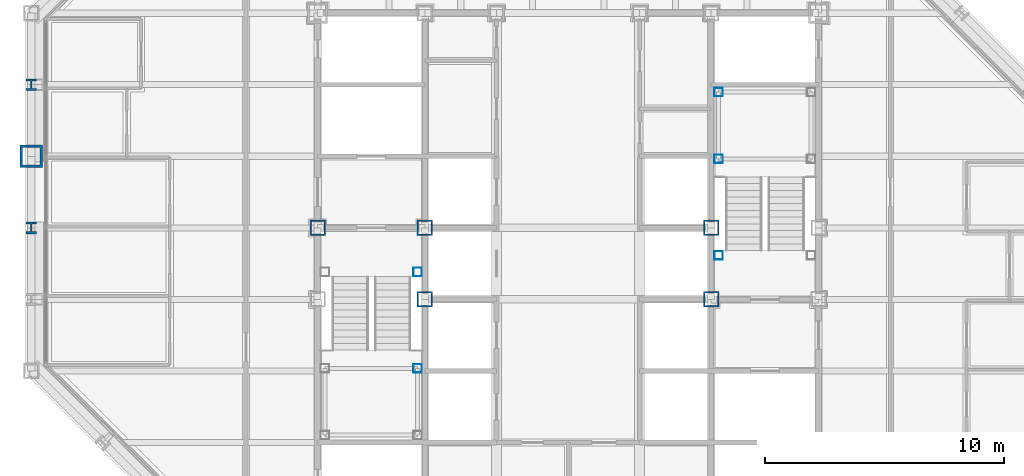
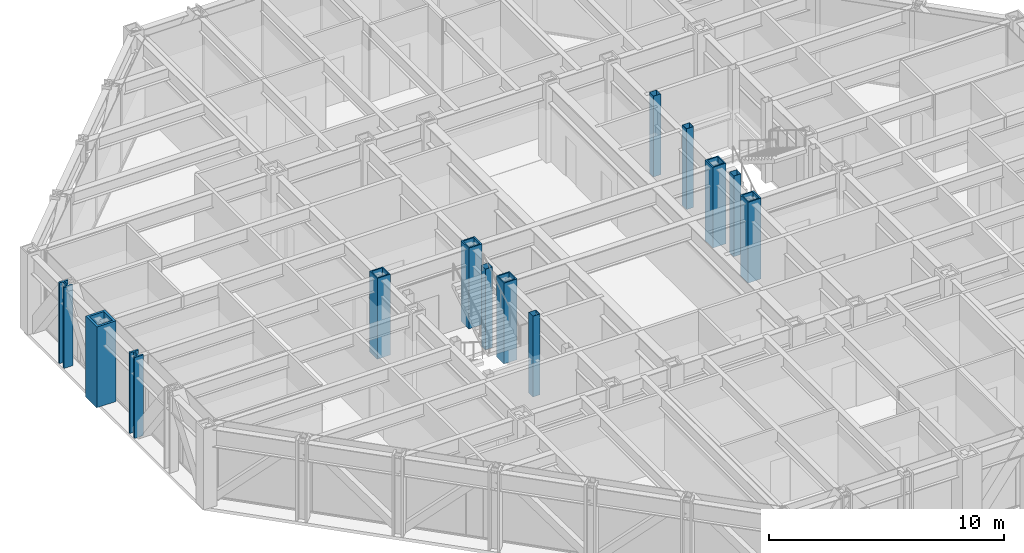
# One storey, part 2 of 16: 13 columns.
"""IFC4 building model written with IfcOpenShell, lengths in metres."""

from ifc_helpers import new_model, si_unit, direction, frame, origin, origin_2d, place, context, subcontext, project, spatial, hollow_rectangle, i_section, extrude, material, material_profile, profile_set, type_object, element, save


model = new_model("IFC4")

# Units and contexts
model_context = context("Model", 3, precision=1e-05, world=origin(), true_north=direction((0.0, 1.0)))
body_context = subcontext(model_context, "Body", "Model", "MODEL_VIEW")
ifc_project = project(units=[si_unit("LENGTHUNIT", "METRE"), si_unit("AREAUNIT", "SQUARE_METRE"), si_unit("VOLUMEUNIT", "CUBIC_METRE"), si_unit("PLANEANGLEUNIT", "RADIAN"), si_unit("MASSUNIT", "GRAM", prefix="KILO")], contexts=[model_context])

# Site, building, storey
site_placement = place(None, origin())
site = spatial("IfcSite", under=ifc_project, at=site_placement, CompositionType="ELEMENT")
building_placement = place(site_placement, origin())
building = spatial("IfcBuilding", under=site, at=building_placement, Name="Chuquiago Exchange Tower", CompositionType="ELEMENT")
storey_placement = place(building_placement, frame((0.0, 0.0, 205.5)))
storey = spatial("IfcBuildingStorey", under=building, at=storey_placement, Name="L45", CompositionType="ELEMENT", Elevation=205.5)

# Columns
ifc_material_1 = material(Name="Steel ASTM A992", Category="steel")
ifc_material_profile_1 = material_profile(ifc_material_1, i_section(OverallWidth=0.431884765625, OverallDepth=0.497802734375, WebThickness=0.0556640625, FlangeThickness=0.0888671875, at=origin_2d()), Name="W14X500")
ifc_profile_set_1 = profile_set([ifc_material_profile_1], Name="Steel ASTM A992")
column_type_1 = type_object("IfcColumnType", Name="C4 W14X500", PredefinedType="COLUMN", material=ifc_profile_set_1)
for number, where, z_axis, x_axis, name in (
    (1, (0.0, 30.0, 0.0), (0.0, 0.0, 1.0), (-1.0, 0.0, 0.0), "COL-L45-0_30"),
    (2, (0.0, 24.0, 0.0), (0.0, 0.0, 1.0), (-1.0, 0.0, 0.0), "COL-L45-0_24"),
):
    element("IfcColumn", number, at=place(storey_placement, frame(where, z_axis=z_axis, x_axis=x_axis)), inside=storey, type_object=column_type_1, Name=name, PredefinedType="COLUMN", context=body_context, shape_type="SweptSolid", body=[
        extrude(i_section(OverallWidth=0.431884765625, OverallDepth=0.497802734375, WebThickness=0.0556640625, FlangeThickness=0.0888671875, at=origin_2d()), origin(), (0.0, 0.0, 1.0), 4.199951171875),
    ])
ifc_material_2 = material(Name="Steel ASTM A572 Grade 50", Category="steel")
ifc_material_profile_2 = material_profile(ifc_material_2, hollow_rectangle(XDim=0.64990234375, YDim=0.64990234375, WallThickness=0.06494140625, at=origin_2d()), Name="BOX650X650X65")
ifc_profile_set_2 = profile_set([ifc_material_profile_2], Name="Steel ASTM A572 Grade 50")
column_type_2 = type_object("IfcColumnType", Name="CC4 BOX650X650X65", PredefinedType="COLUMN", material=ifc_profile_set_2)
for number, where, z_axis, x_axis, name in (
    (3, (12.0, 24.0, 0.0), (0.0, 0.0, 1.0), (1.0, 0.0, 0.0), "CCOL-L45-12_24"),
    (4, (16.5, 21.0, 0.0), (0.0, 0.0, 1.0), (1.0, 0.0, 0.0), "CCOL-L45-16.5_21"),
    (5, (16.5, 24.0, 0.0), (0.0, 0.0, 1.0), (1.0, 0.0, 0.0), "CCOL-L45-16.5_24"),
    (6, (28.5, 21.0, 0.0), (0.0, 0.0, 1.0), (1.0, 0.0, 0.0), "CCOL-L45-28.5_21"),
    (7, (28.5, 24.0, 0.0), (0.0, 0.0, 1.0), (1.0, 0.0, 0.0), "CCOL-L45-28.5_24"),
):
    element("IfcColumn", number, at=place(storey_placement, frame(where, z_axis=z_axis, x_axis=x_axis)), inside=storey, type_object=column_type_2, Name=name, PredefinedType="COLUMN", context=body_context, shape_type="SweptSolid", body=[
        extrude(hollow_rectangle(XDim=0.64990234375, YDim=0.64990234375, WallThickness=0.06494140625, at=origin_2d()), origin(), (0.0, 0.0, 1.0), 4.199951171875),
    ])
ifc_material_3 = material(Name="Steel ASTM A572 Grade 42", Category="steel")
ifc_material_profile_3 = material_profile(ifc_material_3, hollow_rectangle(XDim=0.949951171875, YDim=0.949951171875, WallThickness=0.110107421875, at=origin_2d()), Name="BOX950X950X110")
ifc_profile_set_3 = profile_set([ifc_material_profile_3], Name="Steel ASTM A572 Grade 42")
column_type_3 = type_object("IfcColumnType", Name="CT1 BOX950X950X110", PredefinedType="COLUMN", material=ifc_profile_set_3)
column_placement = place(storey_placement, frame((0.0, 27.0, 0.0), z_axis=(0.0, 0.0, 1.0), x_axis=(-1.0, 0.0, 0.0)))
element("IfcColumn", 8, at=column_placement, inside=storey, type_object=column_type_3, Name="COL-L45-0_27", PredefinedType="COLUMN", context=body_context, shape_type="SweptSolid", body=[
    extrude(hollow_rectangle(XDim=0.949951171875, YDim=0.949951171875, WallThickness=0.110107421875, at=origin_2d()), origin(), (0.0, 0.0, 1.0), 4.199951171875),
])
ifc_material_4 = material(Name="Steel ASTM A500 Grade C", Category="steel")
ifc_material_profile_4 = material_profile(ifc_material_4, hollow_rectangle(XDim=0.355712890625, YDim=0.355712890625, WallThickness=0.0087890625, at=origin_2d()), Name="HSS14X14X3/8")
ifc_profile_set_4 = profile_set([ifc_material_profile_4], Name="Steel ASTM A500 Grade C")
column_type_4 = type_object("IfcColumnType", Name="PT1 HSS14X14X3/8", PredefinedType="COLUMN", material=ifc_profile_set_4)
for number, where, z_axis, x_axis, name in (
    (9, (16.18994140625, 18.110107421875, 0.0), (0.0, 0.0, 1.0), (1.0, 0.0, 0.0), "Stair ST1 L45 landing post"),
    (10, (16.18994140625, 22.14990234375, 0.0), (0.0, 0.0, 1.0), (1.0, 0.0, 0.0), "Stair ST1 L45 landing post"),
    (11, (28.81005859375, 29.68994140625, 0.0), (0.0, 0.0, 1.0), (1.0, 0.0, 0.0), "Stair ST2 L45 landing post"),
    (12, (28.81005859375, 26.889892578125, 0.0), (0.0, 0.0, 1.0), (1.0, 0.0, 0.0), "Stair ST2 L45 landing post"),
    (13, (28.81005859375, 22.85009765625, 0.0), (0.0, 0.0, 1.0), (1.0, 0.0, 0.0), "Stair ST2 L45 landing post"),
):
    element("IfcColumn", number, at=place(storey_placement, frame(where, z_axis=z_axis, x_axis=x_axis)), inside=storey, type_object=column_type_4, Name=name, PredefinedType="COLUMN", context=body_context, shape_type="SweptSolid", body=[
        extrude(hollow_rectangle(XDim=0.355712890625, YDim=0.355712890625, WallThickness=0.0087890625, at=origin_2d()), origin(), (0.0, 0.0, 1.0), 4.199951171875),
    ])

save(model, "model.ifc")
